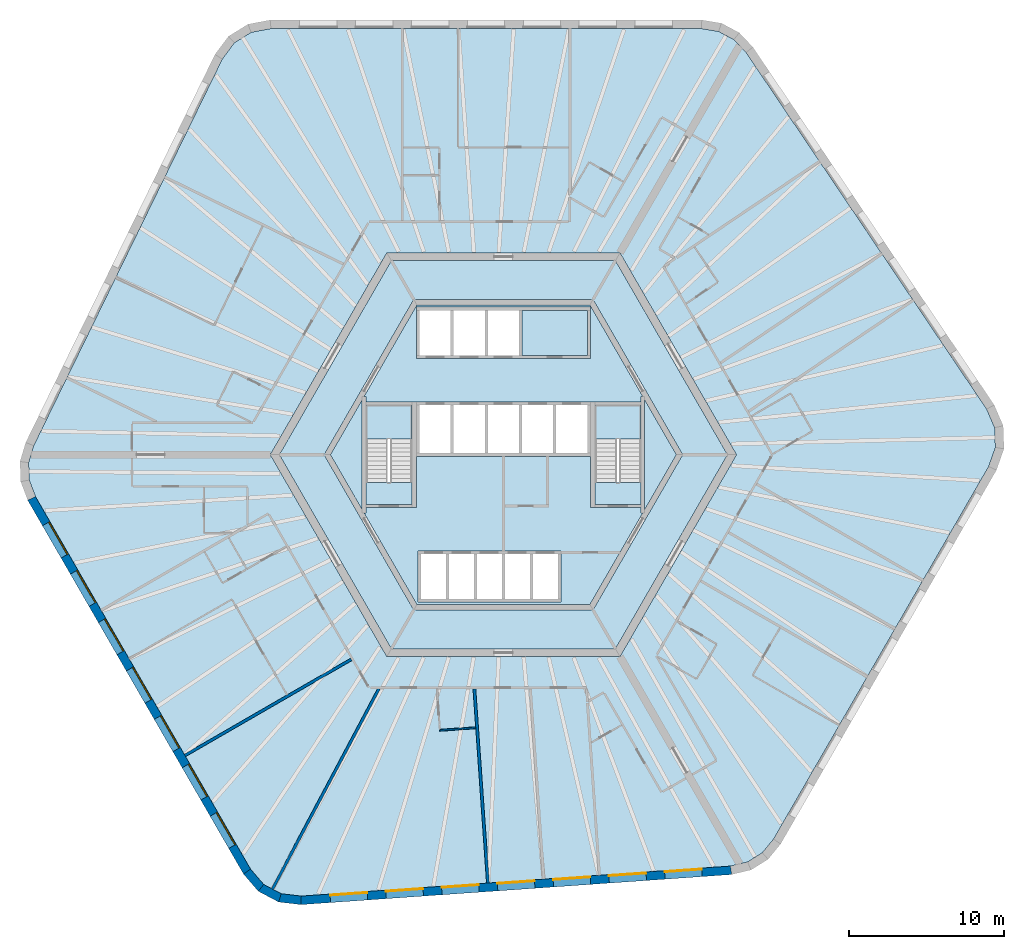
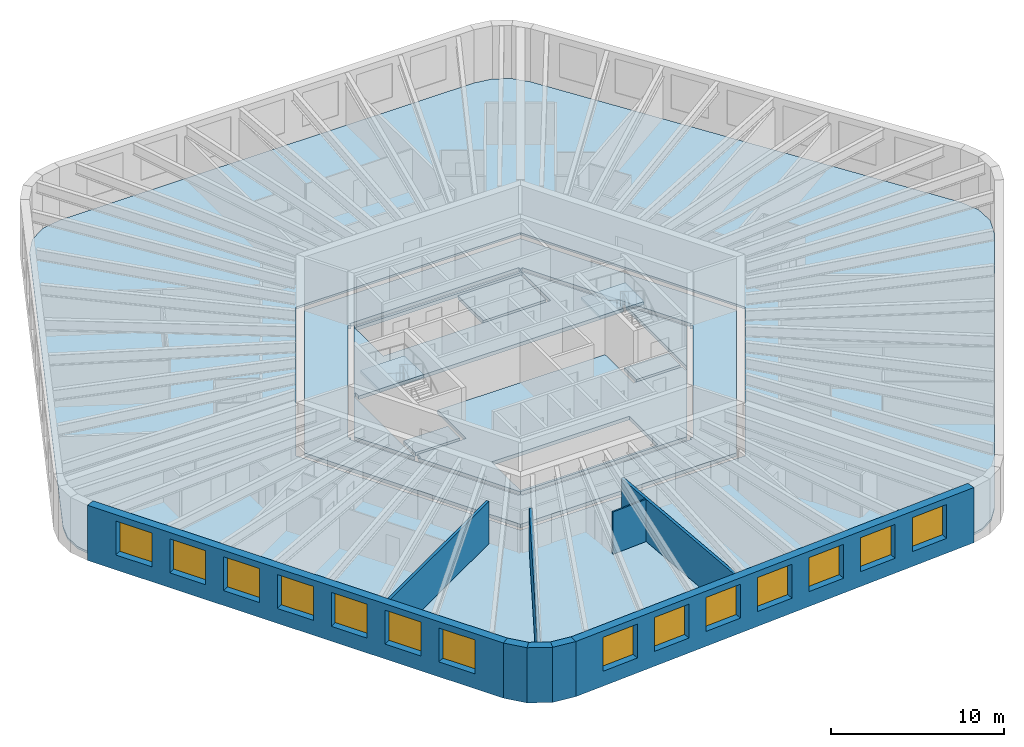
# One storey, part 2 of 10: 14 windows, 11 slabs, 9 walls, 14 openings, 2 elements without a shape of their own.
"""IFC4 building model written with IfcOpenShell, lengths in metres."""

from ifc_helpers import new_model, si_unit, direction, frame, frame_2d, origin, place, context, subcontext, project, spatial, polyline, rectangle, outline, extrude, material, layer, layer_set, type_object, element, fill, aggregate, save


model = new_model("IFC4")

# Units and contexts
model_context = context("Model", 3, precision=1e-05, world=origin(), true_north=direction((0.0, 1.0)))
body_context = subcontext(model_context, "Body", "Model", "MODEL_VIEW")
ifc_project = project(units=[si_unit("LENGTHUNIT", "METRE"), si_unit("AREAUNIT", "SQUARE_METRE"), si_unit("VOLUMEUNIT", "CUBIC_METRE"), si_unit("PLANEANGLEUNIT", "RADIAN"), si_unit("MASSUNIT", "GRAM", prefix="KILO")], contexts=[model_context])

# Site, building, storey
site_placement = place(None, origin())
site = spatial("IfcSite", under=ifc_project, at=site_placement, CompositionType="ELEMENT")
building_placement = place(site_placement, origin())
building = spatial("IfcBuilding", under=site, at=building_placement, Name="Tarnside Tower", CompositionType="ELEMENT")
storey_placement = place(building_placement, frame((0.0, 0.0, 203.39990234375)))
storey = spatial("IfcBuildingStorey", under=building, at=storey_placement, Name="L48", CompositionType="ELEMENT", Elevation=203.39990234375)

# Slabs
ifc_material_1 = material(Name="Concrete C35/45", Category="concrete")
ifc_layer_1 = layer(ifc_material_1, 0.14990234375)
ifc_layer_set_1 = layer_set([ifc_layer_1], Name="Composite floor slab 150")
slab_type_1 = type_object("IfcSlabType", Name="Composite floor slab 150", PredefinedType="FLOOR", material=ifc_layer_set_1)
slab_1_placement = place(storey_placement, frame((0.0, 0.0, -0.14990234375)))
element("IfcSlab", 1, at=slab_1_placement, inside=storey, type_object=slab_type_1, Name="Floor slab L48", PredefinedType="FLOOR", context=body_context, shape_type="SweptSolid", body=[
    extrude(outline(polyline([(13.864013671875, 27.264892578125), (14.85107421875, 26.740234375), (15.6337890625, 25.91064453125), (31.12890625, 2.938232421875), (31.644287109375, 1.7431640625), (31.68896484375, 0.468505859375), (31.258056640625, -0.759521484375), (17.403076171875, -24.7568359375), (16.68017578125, -25.63916015625), (15.732177734375, -26.2314453125), (14.622314453125, -26.494384765625), (-13.02001953125, -28.427490234375), (-14.3125, -28.2763671875), (-15.438720703125, -27.677490234375), (-16.286865234375, -26.6904296875), (-30.1416015625, -2.693115234375), (-30.544189453125, -1.6259765625), (-30.583251953125, -0.5087890625), (-30.256103515625, 0.583984375), (-18.10888671875, 25.4892578125), (-17.331787109375, 26.533203125), (-16.250244140625, 27.208984375), (-14.97119140625, 27.449951171875), (12.738525390625, 27.449951171875), (13.864013671875, 27.264892578125)]), holes=[polyline([(-15.010986328125, 0.0), (-7.505615234375, -13.0), (7.505615234375, -13.0), (15.010986328125, 0.0), (7.505615234375, 13.0), (-7.505615234375, 13.0), (-15.010986328125, 0.0)])]), origin(), (0.0, 0.0, 1.0), 0.14990234375),
])
ifc_material_2 = material(Name="Concrete C40/50", Category="concrete")
ifc_layer_2 = layer(ifc_material_2, 0.25)
ifc_layer_set_2 = layer_set([ifc_layer_2], Name="Core slab C40/50")
slab_type_2 = type_object("IfcSlabType", Name="Core slab C40/50", PredefinedType="FLOOR", material=ifc_layer_set_2)
slab_2_placement = place(storey_placement, frame((0.0, 0.0, -0.25)))
element("IfcSlab", 2, at=slab_2_placement, inside=storey, type_object=slab_type_2, Name="L48 core floor slab 1", PredefinedType="FLOOR", context=body_context, shape_type="SweptSolid", body=[
    extrude(outline(polyline([(-7.216796875, 12.5), (7.216796875, 12.5), (14.433837890625, 0.0), (7.216796875, -12.5), (-7.216796875, -12.5), (-14.433837890625, 0.0), (-7.216796875, 12.5)]), holes=[polyline([(5.823974609375, -9.91259765625), (11.49658203125, -0.08740234375), (11.344970703125, 0.0), (11.49658203125, 0.08740234375), (5.823974609375, 9.91259765625), (5.672607421875, 9.824951171875), (5.672607421875, 10.0), (-5.672607421875, 10.0), (-5.672607421875, 9.824951171875), (-5.823974609375, 9.91259765625), (-11.49658203125, 0.08740234375), (-11.344970703125, 0.0), (-11.49658203125, -0.08740234375), (-5.823974609375, -9.91259765625), (-5.672607421875, -9.824951171875), (-5.672607421875, -10.0), (5.672607421875, -10.0), (5.672607421875, -9.824951171875), (5.823974609375, -9.91259765625)])]), origin(), (0.0, 0.0, 1.0), 0.25),
])
slab_3_placement = place(storey_placement, frame((0.0, 0.0, -0.25)))
element("IfcSlab", 3, at=slab_3_placement, inside=storey, type_object=slab_type_2, Name="L48 core floor slab 2", PredefinedType="FLOOR", context=body_context, shape_type="SweptSolid", body=[
    extrude(outline(polyline([(-8.97509765625, 3.7548828125), (-5.5712890625, 9.64990234375), (5.5712890625, 9.64990234375), (8.97509765625, 3.7548828125), (8.85009765625, 3.7548828125), (8.85009765625, 3.39990234375), (5.89990234375, 3.39990234375), (5.60009765625, 3.39990234375), (5.60009765625, 3.39990234375), (-5.60009765625, 3.39990234375), (-5.89990234375, 3.39990234375), (-8.85009765625, 3.39990234375), (-8.85009765625, 3.7548828125), (-8.97509765625, 3.7548828125)]), holes=[polyline([(-5.60009765625, 6.199951171875), (5.60009765625, 6.199951171875), (5.60009765625, 6.39990234375), (5.60009765625, 9.300048828125), (5.60009765625, 9.5), (-5.60009765625, 9.5), (-5.60009765625, 9.300048828125), (-5.60009765625, 6.39990234375), (-5.60009765625, 6.199951171875)])]), origin(), (0.0, 0.0, 1.0), 0.25),
])
slab_4_placement = place(storey_placement, frame((0.0, 0.0, -0.25)))
element("IfcSlab", 4, at=slab_4_placement, inside=storey, type_object=slab_type_2, Name="L48 core floor slab 3", PredefinedType="FLOOR", context=body_context, shape_type="SweptSolid", body=[
    extrude(outline(polyline([(5.60009765625, -3.39990234375), (5.89990234375, -3.39990234375), (8.85009765625, -3.39990234375), (8.85009765625, -3.7548828125), (8.97509765625, -3.7548828125), (5.5712890625, -9.64990234375), (-5.5712890625, -9.64990234375), (-8.97509765625, -3.7548828125), (-8.85009765625, -3.7548828125), (-8.85009765625, -3.39990234375), (-5.89990234375, -3.39990234375), (-5.60009765625, -3.39990234375), (-5.60009765625, -0.10009765625), (5.60009765625, -0.10009765625), (5.60009765625, -3.39990234375)]), holes=[polyline([(-5.5, -9.300048828125), (-5.5, -9.5), (3.699951171875, -9.5), (3.699951171875, -9.300048828125), (3.699951171875, -6.39990234375), (3.699951171875, -6.199951171875), (-5.5, -6.199951171875), (-5.5, -6.39990234375), (-5.5, -9.300048828125)])]), origin(), (0.0, 0.0, 1.0), 0.25),
])
slab_5_placement = place(storey_placement, frame((0.0, 0.0, -0.25)))
element("IfcSlab", 5, at=slab_5_placement, inside=storey, type_object=slab_type_2, Name="L48 core floor slab 4", PredefinedType="FLOOR", context=body_context, shape_type="SweptSolid", body=[
    extrude(outline(polyline([(-11.142822265625, 0.0), (-9.10009765625, 3.538330078125), (-9.10009765625, -3.538330078125), (-11.142822265625, 0.0)])), origin(), (0.0, 0.0, 1.0), 0.25),
])
slab_6_placement = place(storey_placement, frame((0.0, 0.0, -0.25)))
element("IfcSlab", 6, at=slab_6_placement, inside=storey, type_object=slab_type_2, Name="L48 core floor slab 5", PredefinedType="FLOOR", context=body_context, shape_type="SweptSolid", body=[
    extrude(outline(polyline([(-8.85009765625, -1.800048828125), (-5.89990234375, -1.800048828125), (-5.89990234375, -3.199951171875), (-8.85009765625, -3.199951171875), (-8.85009765625, -1.800048828125)])), origin(), (0.0, 0.0, 1.0), 0.25),
])
slab_7_placement = place(storey_placement, frame((0.0, 0.0, -0.25)))
element("IfcSlab", 7, at=slab_7_placement, inside=storey, type_object=slab_type_2, Name="L48 core floor slab 6", PredefinedType="FLOOR", context=body_context, shape_type="SweptSolid", body=[
    extrude(outline(polyline([(5.89990234375, -3.199951171875), (5.89990234375, -1.800048828125), (8.85009765625, -1.800048828125), (8.85009765625, -3.199951171875), (5.89990234375, -3.199951171875)])), origin(), (0.0, 0.0, 1.0), 0.25),
])
slab_8_placement = place(storey_placement, frame((0.0, 0.0, -0.25)))
element("IfcSlab", 8, at=slab_8_placement, inside=storey, type_object=slab_type_2, Name="L48 core floor slab 7", PredefinedType="FLOOR", context=body_context, shape_type="SweptSolid", body=[
    extrude(outline(polyline([(9.10009765625, -3.538330078125), (9.10009765625, 3.538330078125), (11.142822265625, 0.0), (9.10009765625, -3.538330078125)])), origin(), (0.0, 0.0, 1.0), 0.25),
])
slab_9_placement = place(storey_placement, frame((0.0, 0.0, -0.25)))
element("IfcSlab", 9, at=slab_9_placement, inside=storey, type_object=slab_type_2, Name="L48 core floor slab 8", PredefinedType="FLOOR", context=body_context, shape_type="SweptSolid", body=[
    extrude(outline(polyline([(5.39990234375, 9.300048828125), (5.39990234375, 6.39990234375), (1.199951171875, 6.39990234375), (1.199951171875, 9.300048828125), (5.39990234375, 9.300048828125)])), origin(), (0.0, 0.0, 1.0), 0.25),
])

# Stair, slab
stair_type = type_object("IfcStairType", Name="Exit stair 1400 clear", PredefinedType="HALF_TURN_STAIR", material=ifc_material_2)
stair_1_placement = place(storey_placement, origin())
stair_1 = element("IfcStair", 10, at=stair_1_placement, inside=storey, type_object=stair_type, Name="L48 Exit stair 1", PredefinedType="HALF_TURN_STAIR")
ifc_layer_3 = layer(ifc_material_2, 0.199951171875)
ifc_layer_set_3 = layer_set([ifc_layer_3], Name="Stair landing 200 C40/50")
slab_type_3 = type_object("IfcSlabType", Name="Stair landing 200 C40/50", PredefinedType="LANDING", material=ifc_layer_set_3)
slab_10_placement = place(storey_placement, frame((0.0, 0.0, 1.75)))
slab_10 = element("IfcSlab", 11, at=slab_10_placement, type_object=slab_type_3, Name="ST1 landing 1", PredefinedType="LANDING", context=body_context, shape_type="SweptSolid", body=[
    extrude(outline(polyline([(8.85009765625, 1.0), (8.85009765625, 3.199951171875), (5.89990234375, 3.199951171875), (5.89990234375, 1.0), (8.85009765625, 1.0)])), origin(), (0.0, 0.0, 1.0), 0.2001953125),
])
aggregate(stair_1, [slab_10])

stair_2_placement = place(storey_placement, origin())
stair_2 = element("IfcStair", 12, at=stair_2_placement, inside=storey, type_object=stair_type, Name="L48 Exit stair 2", PredefinedType="HALF_TURN_STAIR")
slab_11_placement = place(storey_placement, frame((0.0, 0.0, 1.75)))
slab_11 = element("IfcSlab", 13, at=slab_11_placement, type_object=slab_type_3, Name="ST2 landing 1", PredefinedType="LANDING", context=body_context, shape_type="SweptSolid", body=[
    extrude(outline(polyline([(-5.89990234375, 1.0), (-5.89990234375, 3.199951171875), (-8.85009765625, 3.199951171875), (-8.85009765625, 1.0), (-5.89990234375, 1.0)])), origin(), (0.0, 0.0, 1.0), 0.2001953125),
])
aggregate(stair_2, [slab_11])

# Walls
ifc_material_3 = material(Name="Gypsum board partition on steel studs", Category="steel")
ifc_layer_4 = layer(ifc_material_3, 0.10009765625)
ifc_layer_set_4 = layer_set([ifc_layer_4], Name="Bathroom wall 100")
wall_type_1 = type_object("IfcWallType", Name="Bathroom wall 100", PredefinedType="PARTITIONING", material=ifc_layer_set_4)
wall_1_placement = place(storey_placement, frame((-1.785400390625, -17.587158203125, 0.0), z_axis=(0.0, 0.0, 1.0), x_axis=(-0.997564338377, -0.069752353356, 0.0)))
element("IfcWall", 14, at=wall_1_placement, inside=storey, type_object=wall_type_1, Name="Bathroom wall 15086", PredefinedType="PARTITIONING", context=body_context, shape_type="SweptSolid", body=[
    extrude(rectangle(XDim=2.31005859375, YDim=0.10009765625, at=frame_2d((1.155029296875, 0.0))), origin(), (0.0, 0.0, 1.0), 2.98779296875),
])
ifc_layer_5 = layer(ifc_material_3, 0.179931640625)
ifc_layer_set_5 = layer_set([ifc_layer_5], Name="Demising wall 180 EI 60")
wall_type_2 = type_object("IfcWallType", Name="Demising wall 180 EI 60", PredefinedType="PARTITIONING", material=ifc_layer_set_5)
wall_2_placement = place(storey_placement, frame((-20.513427734375, -19.36962890625, 0.0), z_axis=(0.0, 0.0, 1.0), x_axis=(0.866024931941, 0.500000817256, 0.0)))
element("IfcWall", 15, at=wall_2_placement, inside=storey, type_object=wall_type_2, Name="Demising wall 15082", PredefinedType="PARTITIONING", context=body_context, shape_type="SweptSolid", body=[
    extrude(rectangle(XDim=12.375, YDim=0.179931640625, at=frame_2d((6.1875, 0.0))), origin(), (0.0, 0.0, 1.0), 2.98779296875),
])
wall_3_placement = place(storey_placement, frame((-14.875732421875, -27.97705078125, 0.0), z_axis=(0.0, 0.0, 1.0), x_axis=(0.469468328163, 0.882949312731, 0.0)))
element("IfcWall", 16, at=wall_3_placement, inside=storey, type_object=wall_type_2, Name="Demising wall 15085", PredefinedType="PARTITIONING", context=body_context, shape_type="SweptSolid", body=[
    extrude(rectangle(XDim=14.612548828125, YDim=0.179931640625, at=frame_2d((7.30615234375, 0.0))), origin(), (0.0, 0.0, 1.0), 2.98779296875),
])
wall_4_placement = place(storey_placement, frame((-0.99609375, -27.586669921875, 0.0), z_axis=(0.0, 0.0, 1.0), x_axis=(-0.069744671963, 0.997564875451, 0.0)))
element("IfcWall", 17, at=wall_4_placement, inside=storey, type_object=wall_type_2, Name="Demising wall 15088", PredefinedType="PARTITIONING", context=body_context, shape_type="SweptSolid", body=[
    extrude(rectangle(XDim=12.542236328125, YDim=0.179931640625, at=frame_2d((6.27099609375, 0.0))), origin(), (0.0, 0.0, 1.0), 2.98779296875),
])

# Wall, openings, windows
ifc_material_4 = material(Name="Facing brick", Category="masonry")
ifc_layer_6 = layer(ifc_material_4, 0.10205078125)
ifc_material_5 = material(Name="Concrete C60/75 precast", Category="concrete")
ifc_layer_7 = layer(ifc_material_5, 0.347900390625)
ifc_material_6 = material(Name="Mineral wool insulation")
ifc_layer_8 = layer(ifc_material_6, 0.10009765625)
ifc_layer_set_6 = layer_set([ifc_layer_6, ifc_layer_7, ifc_layer_8], Name="Tube wall 550 brick faced")
wall_type_3 = type_object("IfcWallType", Name="Tube wall 550 brick faced", PredefinedType="SOLIDWALL", material=ifc_layer_set_6)
wall_5_placement = place(storey_placement, frame((-30.39111328125, -2.81103515625, -0.14990234375), z_axis=(0.0, 0.0, 1.0), x_axis=(0.499998569178, -0.866026229868, 0.0)))
wall_5 = element("IfcWall", 18, at=wall_5_placement, inside=storey, type_object=wall_type_3, Name="Tube wall L48 F3 flush 08", PredefinedType="SOLIDWALL", context=body_context, shape_type="SweptSolid", body=[
    extrude(outline(polyline([(-0.0224609375, -0.27490234375), (27.783447265625, -0.27490234375), (27.732177734375, 0.27490234375), (0.0224609375, 0.27490234375), (-0.0224609375, -0.27490234375)])), origin(), (0.0, 0.0, 1.0), 3.89990234375),
])
opening_1_placement = place(wall_5_placement, frame((1.87890625, 0.0, 1.050048828125)))
opening_1 = element("IfcOpeningElement", 19, at=opening_1_placement, cuts=wall_5, Name="Opening WH", PredefinedType="OPENING", context=body_context, shape_type="SweptSolid", body=[
    extrude(rectangle(XDim=2.39990234375, YDim=2.39990234375, at=frame_2d((1.199951171875, 1.199951171875))), frame((0.0, 0.28515625, 0.0), z_axis=(0.0, -1.0, 0.0), x_axis=(1.0, 0.0, 0.0)), (0.0, 0.0, 1.0), 0.570068359375),
])
opening_2_placement = place(wall_5_placement, frame((5.47900390625, 0.0, 1.050048828125)))
opening_2 = element("IfcOpeningElement", 20, at=opening_2_placement, cuts=wall_5, Name="Opening WH", PredefinedType="OPENING", context=body_context, shape_type="SweptSolid", body=[
    extrude(rectangle(XDim=2.39990234375, YDim=2.39990234375, at=frame_2d((1.199951171875, 1.199951171875))), frame((0.0, 0.28515625, 0.0), z_axis=(0.0, -1.0, 0.0), x_axis=(1.0, 0.0, 0.0)), (0.0, 0.0, 1.0), 0.570068359375),
])
opening_3_placement = place(wall_5_placement, frame((9.078857421875, 0.0, 1.050048828125)))
opening_3 = element("IfcOpeningElement", 21, at=opening_3_placement, cuts=wall_5, Name="Opening WH", PredefinedType="OPENING", context=body_context, shape_type="SweptSolid", body=[
    extrude(rectangle(XDim=2.39990234375, YDim=2.39990234375, at=frame_2d((1.199951171875, 1.199951171875))), frame((0.0, 0.28515625, 0.0), z_axis=(0.0, -1.0, 0.0), x_axis=(1.0, 0.0, 0.0)), (0.0, 0.0, 1.0), 0.570068359375),
])
opening_4_placement = place(wall_5_placement, frame((12.678955078125, 0.0, 1.050048828125)))
opening_4 = element("IfcOpeningElement", 22, at=opening_4_placement, cuts=wall_5, Name="Opening WH", PredefinedType="OPENING", context=body_context, shape_type="SweptSolid", body=[
    extrude(rectangle(XDim=2.39990234375, YDim=2.39990234375, at=frame_2d((1.199951171875, 1.199951171875))), frame((0.0, 0.28515625, 0.0), z_axis=(0.0, -1.0, 0.0), x_axis=(1.0, 0.0, 0.0)), (0.0, 0.0, 1.0), 0.570068359375),
])
opening_5_placement = place(wall_5_placement, frame((16.27880859375, 0.0, 1.050048828125)))
opening_5 = element("IfcOpeningElement", 23, at=opening_5_placement, cuts=wall_5, Name="Opening WH", PredefinedType="OPENING", context=body_context, shape_type="SweptSolid", body=[
    extrude(rectangle(XDim=2.39990234375, YDim=2.39990234375, at=frame_2d((1.199951171875, 1.199951171875))), frame((0.0, 0.28515625, 0.0), z_axis=(0.0, -1.0, 0.0), x_axis=(1.0, 0.0, 0.0)), (0.0, 0.0, 1.0), 0.570068359375),
])
opening_6_placement = place(wall_5_placement, frame((19.87890625, 0.0, 1.050048828125)))
opening_6 = element("IfcOpeningElement", 24, at=opening_6_placement, cuts=wall_5, Name="Opening WH", PredefinedType="OPENING", context=body_context, shape_type="SweptSolid", body=[
    extrude(rectangle(XDim=2.39990234375, YDim=2.39990234375, at=frame_2d((1.199951171875, 1.199951171875))), frame((0.0, 0.28515625, 0.0), z_axis=(0.0, -1.0, 0.0), x_axis=(1.0, 0.0, 0.0)), (0.0, 0.0, 1.0), 0.570068359375),
])
opening_7_placement = place(wall_5_placement, frame((23.47900390625, 0.0, 1.050048828125)))
opening_7 = element("IfcOpeningElement", 25, at=opening_7_placement, cuts=wall_5, Name="Opening WH", PredefinedType="OPENING", context=body_context, shape_type="SweptSolid", body=[
    extrude(rectangle(XDim=2.39990234375, YDim=2.39990234375, at=frame_2d((1.199951171875, 1.199951171875))), frame((0.0, 0.28515625, 0.0), z_axis=(0.0, -1.0, 0.0), x_axis=(1.0, 0.0, 0.0)), (0.0, 0.0, 1.0), 0.570068359375),
])
ifc_material_7 = material(Name="Aluminium-framed double glazing", Category="aluminium")
window_type = type_object("IfcWindowType", Name="Hotel window 2400 x 2400", PartitioningType="DOUBLE_PANEL_VERTICAL", PredefinedType="WINDOW", material=ifc_material_7)
window_1_placement = place(opening_1_placement, frame((0.0, 0.205078125, 0.0)))
window_1 = element("IfcWindow", 26, at=window_1_placement, inside=storey, type_object=window_type, Name="E.WN.L48.F3.00", OverallHeight=2.39990234375, OverallWidth=2.39990234375, PartitioningType="DOUBLE_PANEL_VERTICAL", PredefinedType="WINDOW", context=body_context, shape_type="SweptSolid", body=[
    extrude(rectangle(XDim=2.39990234375, YDim=2.39990234375, at=frame_2d((1.199951171875, 1.199951171875))), frame((0.0, 0.030029296875, 0.0), z_axis=(0.0, -1.0, 0.0), x_axis=(1.0, 0.0, 0.0)), (0.0, 0.0, 1.0), 0.06005859375),
])
fill(opening_1, window_1)
window_2_placement = place(opening_2_placement, frame((0.0, 0.205078125, 0.0)))
window_2 = element("IfcWindow", 27, at=window_2_placement, inside=storey, type_object=window_type, Name="E.WN.L48.F3.01", OverallHeight=2.39990234375, OverallWidth=2.39990234375, PartitioningType="DOUBLE_PANEL_VERTICAL", PredefinedType="WINDOW", context=body_context, shape_type="SweptSolid", body=[
    extrude(rectangle(XDim=2.39990234375, YDim=2.39990234375, at=frame_2d((1.199951171875, 1.199951171875))), frame((0.0, 0.030029296875, 0.0), z_axis=(0.0, -1.0, 0.0), x_axis=(1.0, 0.0, 0.0)), (0.0, 0.0, 1.0), 0.06005859375),
])
fill(opening_2, window_2)
window_3_placement = place(opening_3_placement, frame((0.0, 0.205078125, 0.0)))
window_3 = element("IfcWindow", 28, at=window_3_placement, inside=storey, type_object=window_type, Name="E.WN.L48.F3.02", OverallHeight=2.39990234375, OverallWidth=2.39990234375, PartitioningType="DOUBLE_PANEL_VERTICAL", PredefinedType="WINDOW", context=body_context, shape_type="SweptSolid", body=[
    extrude(rectangle(XDim=2.39990234375, YDim=2.39990234375, at=frame_2d((1.199951171875, 1.199951171875))), frame((0.0, 0.030029296875, 0.0), z_axis=(0.0, -1.0, 0.0), x_axis=(1.0, 0.0, 0.0)), (0.0, 0.0, 1.0), 0.06005859375),
])
fill(opening_3, window_3)
window_4_placement = place(opening_4_placement, frame((0.0, 0.205078125, 0.0)))
window_4 = element("IfcWindow", 29, at=window_4_placement, inside=storey, type_object=window_type, Name="E.WN.L48.F3.03", OverallHeight=2.39990234375, OverallWidth=2.39990234375, PartitioningType="DOUBLE_PANEL_VERTICAL", PredefinedType="WINDOW", context=body_context, shape_type="SweptSolid", body=[
    extrude(rectangle(XDim=2.39990234375, YDim=2.39990234375, at=frame_2d((1.199951171875, 1.199951171875))), frame((0.0, 0.030029296875, 0.0), z_axis=(0.0, -1.0, 0.0), x_axis=(1.0, 0.0, 0.0)), (0.0, 0.0, 1.0), 0.06005859375),
])
fill(opening_4, window_4)
window_5_placement = place(opening_5_placement, frame((0.0, 0.205078125, 0.0)))
window_5 = element("IfcWindow", 30, at=window_5_placement, inside=storey, type_object=window_type, Name="E.WN.L48.F3.04", OverallHeight=2.39990234375, OverallWidth=2.39990234375, PartitioningType="DOUBLE_PANEL_VERTICAL", PredefinedType="WINDOW", context=body_context, shape_type="SweptSolid", body=[
    extrude(rectangle(XDim=2.39990234375, YDim=2.39990234375, at=frame_2d((1.199951171875, 1.199951171875))), frame((0.0, 0.030029296875, 0.0), z_axis=(0.0, -1.0, 0.0), x_axis=(1.0, 0.0, 0.0)), (0.0, 0.0, 1.0), 0.06005859375),
])
fill(opening_5, window_5)
window_6_placement = place(opening_6_placement, frame((0.0, 0.205078125, 0.0)))
window_6 = element("IfcWindow", 31, at=window_6_placement, inside=storey, type_object=window_type, Name="E.WN.L48.F3.05", OverallHeight=2.39990234375, OverallWidth=2.39990234375, PartitioningType="DOUBLE_PANEL_VERTICAL", PredefinedType="WINDOW", context=body_context, shape_type="SweptSolid", body=[
    extrude(rectangle(XDim=2.39990234375, YDim=2.39990234375, at=frame_2d((1.199951171875, 1.199951171875))), frame((0.0, 0.030029296875, 0.0), z_axis=(0.0, -1.0, 0.0), x_axis=(1.0, 0.0, 0.0)), (0.0, 0.0, 1.0), 0.06005859375),
])
fill(opening_6, window_6)
window_7_placement = place(opening_7_placement, frame((0.0, 0.205078125, 0.0)))
window_7 = element("IfcWindow", 32, at=window_7_placement, inside=storey, type_object=window_type, Name="E.WN.L48.F3.06", OverallHeight=2.39990234375, OverallWidth=2.39990234375, PartitioningType="DOUBLE_PANEL_VERTICAL", PredefinedType="WINDOW", context=body_context, shape_type="SweptSolid", body=[
    extrude(rectangle(XDim=2.39990234375, YDim=2.39990234375, at=frame_2d((1.199951171875, 1.199951171875))), frame((0.0, 0.030029296875, 0.0), z_axis=(0.0, -1.0, 0.0), x_axis=(1.0, 0.0, 0.0)), (0.0, 0.0, 1.0), 0.06005859375),
])
fill(opening_7, window_7)

# Walls
wall_6_placement = place(storey_placement, frame((-16.51220703125, -26.85009765625, -0.14990234375), z_axis=(0.0, 0.0, 1.0), x_axis=(0.651621950847, -0.758543890078, 0.0)))
element("IfcWall", 33, at=wall_6_placement, inside=storey, type_object=wall_type_3, Name="Tube wall L48 F3 chord 09", PredefinedType="SOLIDWALL", context=body_context, shape_type="SweptSolid", body=[
    extrude(outline(polyline([(-0.025634765625, -0.27490234375), (1.430908203125, -0.27490234375), (1.327392578125, 0.27490234375), (0.025634765625, 0.27490234375), (-0.025634765625, -0.27490234375)])), origin(), (0.0, 0.0, 1.0), 3.89990234375),
])
wall_7_placement = place(storey_placement, frame((-15.613525390625, -27.896240234375, -0.14990234375), z_axis=(0.0, 0.0, 1.0), x_axis=(0.882994189209, -0.469383917304, 0.0)))
element("IfcWall", 34, at=wall_7_placement, inside=storey, type_object=wall_type_3, Name="Tube wall L48 F3 chord 10", PredefinedType="SOLIDWALL", context=body_context, shape_type="SweptSolid", body=[
    extrude(outline(polyline([(-0.0517578125, -0.27490234375), (1.4306640625, -0.27490234375), (1.3271484375, 0.27490234375), (0.0517578125, 0.27490234375), (-0.0517578125, -0.27490234375)])), origin(), (0.0, 0.0, 1.0), 3.89990234375),
])
wall_8_placement = place(storey_placement, frame((-14.39599609375, -28.54345703125, -0.14990234375), z_axis=(0.0, 0.0, 1.0), x_axis=(0.993232537394, -0.11614269956, 0.0)))
element("IfcWall", 35, at=wall_8_placement, inside=storey, type_object=wall_type_3, Name="Tube wall L48 F3 chord 11", PredefinedType="SOLIDWALL", context=body_context, shape_type="SweptSolid", body=[
    extrude(outline(polyline([(-0.0517578125, -0.27490234375), (1.404541015625, -0.27490234375), (1.353271484375, 0.27490234375), (0.0517578125, 0.27490234375), (-0.0517578125, -0.27490234375)])), origin(), (0.0, 0.0, 1.0), 3.89990234375),
])

# Wall, openings, windows
wall_9_placement = place(storey_placement, frame((-13.0263671875, -28.70361328125, -0.14990234375), z_axis=(0.0, 0.0, 1.0), x_axis=(0.99756406806, 0.069756219185, 0.0)))
wall_9 = element("IfcWall", 36, at=wall_9_placement, inside=storey, type_object=wall_type_3, Name="Tube wall L48 F4 flush 12", PredefinedType="SOLIDWALL", context=body_context, shape_type="SweptSolid", body=[
    extrude(outline(polyline([(-0.025634765625, -0.27490234375), (27.7802734375, -0.27490234375), (27.7353515625, 0.27490234375), (0.025634765625, 0.27490234375), (-0.025634765625, -0.27490234375)])), origin(), (0.0, 0.0, 1.0), 3.89990234375),
])
opening_8_placement = place(wall_9_placement, frame((1.87890625, 0.0, 1.050048828125)))
opening_8 = element("IfcOpeningElement", 37, at=opening_8_placement, cuts=wall_9, Name="Opening WH", PredefinedType="OPENING", context=body_context, shape_type="SweptSolid", body=[
    extrude(rectangle(XDim=2.39990234375, YDim=2.39990234375, at=frame_2d((1.199951171875, 1.199951171875))), frame((0.0, 0.28515625, 0.0), z_axis=(0.0, -1.0, 0.0), x_axis=(1.0, 0.0, 0.0)), (0.0, 0.0, 1.0), 0.570068359375),
])
opening_9_placement = place(wall_9_placement, frame((5.47900390625, 0.0, 1.050048828125)))
opening_9 = element("IfcOpeningElement", 38, at=opening_9_placement, cuts=wall_9, Name="Opening WH", PredefinedType="OPENING", context=body_context, shape_type="SweptSolid", body=[
    extrude(rectangle(XDim=2.39990234375, YDim=2.39990234375, at=frame_2d((1.199951171875, 1.199951171875))), frame((0.0, 0.28515625, 0.0), z_axis=(0.0, -1.0, 0.0), x_axis=(1.0, 0.0, 0.0)), (0.0, 0.0, 1.0), 0.570068359375),
])
opening_10_placement = place(wall_9_placement, frame((9.078857421875, 0.0, 1.050048828125)))
opening_10 = element("IfcOpeningElement", 39, at=opening_10_placement, cuts=wall_9, Name="Opening WH", PredefinedType="OPENING", context=body_context, shape_type="SweptSolid", body=[
    extrude(rectangle(XDim=2.39990234375, YDim=2.39990234375, at=frame_2d((1.199951171875, 1.199951171875))), frame((0.0, 0.28515625, 0.0), z_axis=(0.0, -1.0, 0.0), x_axis=(1.0, 0.0, 0.0)), (0.0, 0.0, 1.0), 0.570068359375),
])
opening_11_placement = place(wall_9_placement, frame((12.678955078125, 0.0, 1.050048828125)))
opening_11 = element("IfcOpeningElement", 40, at=opening_11_placement, cuts=wall_9, Name="Opening WH", PredefinedType="OPENING", context=body_context, shape_type="SweptSolid", body=[
    extrude(rectangle(XDim=2.39990234375, YDim=2.39990234375, at=frame_2d((1.199951171875, 1.199951171875))), frame((0.0, 0.28515625, 0.0), z_axis=(0.0, -1.0, 0.0), x_axis=(1.0, 0.0, 0.0)), (0.0, 0.0, 1.0), 0.570068359375),
])
opening_12_placement = place(wall_9_placement, frame((16.27880859375, 0.0, 1.050048828125)))
opening_12 = element("IfcOpeningElement", 41, at=opening_12_placement, cuts=wall_9, Name="Opening WH", PredefinedType="OPENING", context=body_context, shape_type="SweptSolid", body=[
    extrude(rectangle(XDim=2.39990234375, YDim=2.39990234375, at=frame_2d((1.199951171875, 1.199951171875))), frame((0.0, 0.28515625, 0.0), z_axis=(0.0, -1.0, 0.0), x_axis=(1.0, 0.0, 0.0)), (0.0, 0.0, 1.0), 0.570068359375),
])
opening_13_placement = place(wall_9_placement, frame((19.87890625, 0.0, 1.050048828125)))
opening_13 = element("IfcOpeningElement", 42, at=opening_13_placement, cuts=wall_9, Name="Opening WH", PredefinedType="OPENING", context=body_context, shape_type="SweptSolid", body=[
    extrude(rectangle(XDim=2.39990234375, YDim=2.39990234375, at=frame_2d((1.199951171875, 1.199951171875))), frame((0.0, 0.28515625, 0.0), z_axis=(0.0, -1.0, 0.0), x_axis=(1.0, 0.0, 0.0)), (0.0, 0.0, 1.0), 0.570068359375),
])
opening_14_placement = place(wall_9_placement, frame((23.47900390625, 0.0, 1.050048828125)))
opening_14 = element("IfcOpeningElement", 43, at=opening_14_placement, cuts=wall_9, Name="Opening WH", PredefinedType="OPENING", context=body_context, shape_type="SweptSolid", body=[
    extrude(rectangle(XDim=2.39990234375, YDim=2.39990234375, at=frame_2d((1.199951171875, 1.199951171875))), frame((0.0, 0.28515625, 0.0), z_axis=(0.0, -1.0, 0.0), x_axis=(1.0, 0.0, 0.0)), (0.0, 0.0, 1.0), 0.570068359375),
])
window_8_placement = place(opening_8_placement, frame((0.0, 0.205078125, 0.0)))
window_8 = element("IfcWindow", 44, at=window_8_placement, inside=storey, type_object=window_type, Name="E.WN.L48.F4.00", OverallHeight=2.39990234375, OverallWidth=2.39990234375, PartitioningType="DOUBLE_PANEL_VERTICAL", PredefinedType="WINDOW", context=body_context, shape_type="SweptSolid", body=[
    extrude(rectangle(XDim=2.39990234375, YDim=2.39990234375, at=frame_2d((1.199951171875, 1.199951171875))), frame((0.0, 0.030029296875, 0.0), z_axis=(0.0, -1.0, 0.0), x_axis=(1.0, 0.0, 0.0)), (0.0, 0.0, 1.0), 0.06005859375),
])
fill(opening_8, window_8)
window_9_placement = place(opening_9_placement, frame((0.0, 0.205078125, 0.0)))
window_9 = element("IfcWindow", 45, at=window_9_placement, inside=storey, type_object=window_type, Name="E.WN.L48.F4.01", OverallHeight=2.39990234375, OverallWidth=2.39990234375, PartitioningType="DOUBLE_PANEL_VERTICAL", PredefinedType="WINDOW", context=body_context, shape_type="SweptSolid", body=[
    extrude(rectangle(XDim=2.39990234375, YDim=2.39990234375, at=frame_2d((1.199951171875, 1.199951171875))), frame((0.0, 0.030029296875, 0.0), z_axis=(0.0, -1.0, 0.0), x_axis=(1.0, 0.0, 0.0)), (0.0, 0.0, 1.0), 0.06005859375),
])
fill(opening_9, window_9)
window_10_placement = place(opening_10_placement, frame((0.0, 0.205078125, 0.0)))
window_10 = element("IfcWindow", 46, at=window_10_placement, inside=storey, type_object=window_type, Name="E.WN.L48.F4.02", OverallHeight=2.39990234375, OverallWidth=2.39990234375, PartitioningType="DOUBLE_PANEL_VERTICAL", PredefinedType="WINDOW", context=body_context, shape_type="SweptSolid", body=[
    extrude(rectangle(XDim=2.39990234375, YDim=2.39990234375, at=frame_2d((1.199951171875, 1.199951171875))), frame((0.0, 0.030029296875, 0.0), z_axis=(0.0, -1.0, 0.0), x_axis=(1.0, 0.0, 0.0)), (0.0, 0.0, 1.0), 0.06005859375),
])
fill(opening_10, window_10)
window_11_placement = place(opening_11_placement, frame((0.0, 0.205078125, 0.0)))
window_11 = element("IfcWindow", 47, at=window_11_placement, inside=storey, type_object=window_type, Name="E.WN.L48.F4.03", OverallHeight=2.39990234375, OverallWidth=2.39990234375, PartitioningType="DOUBLE_PANEL_VERTICAL", PredefinedType="WINDOW", context=body_context, shape_type="SweptSolid", body=[
    extrude(rectangle(XDim=2.39990234375, YDim=2.39990234375, at=frame_2d((1.199951171875, 1.199951171875))), frame((0.0, 0.030029296875, 0.0), z_axis=(0.0, -1.0, 0.0), x_axis=(1.0, 0.0, 0.0)), (0.0, 0.0, 1.0), 0.06005859375),
])
fill(opening_11, window_11)
window_12_placement = place(opening_12_placement, frame((0.0, 0.205078125, 0.0)))
window_12 = element("IfcWindow", 48, at=window_12_placement, inside=storey, type_object=window_type, Name="E.WN.L48.F4.04", OverallHeight=2.39990234375, OverallWidth=2.39990234375, PartitioningType="DOUBLE_PANEL_VERTICAL", PredefinedType="WINDOW", context=body_context, shape_type="SweptSolid", body=[
    extrude(rectangle(XDim=2.39990234375, YDim=2.39990234375, at=frame_2d((1.199951171875, 1.199951171875))), frame((0.0, 0.030029296875, 0.0), z_axis=(0.0, -1.0, 0.0), x_axis=(1.0, 0.0, 0.0)), (0.0, 0.0, 1.0), 0.06005859375),
])
fill(opening_12, window_12)
window_13_placement = place(opening_13_placement, frame((0.0, 0.205078125, 0.0)))
window_13 = element("IfcWindow", 49, at=window_13_placement, inside=storey, type_object=window_type, Name="E.WN.L48.F4.05", OverallHeight=2.39990234375, OverallWidth=2.39990234375, PartitioningType="DOUBLE_PANEL_VERTICAL", PredefinedType="WINDOW", context=body_context, shape_type="SweptSolid", body=[
    extrude(rectangle(XDim=2.39990234375, YDim=2.39990234375, at=frame_2d((1.199951171875, 1.199951171875))), frame((0.0, 0.030029296875, 0.0), z_axis=(0.0, -1.0, 0.0), x_axis=(1.0, 0.0, 0.0)), (0.0, 0.0, 1.0), 0.06005859375),
])
fill(opening_13, window_13)
window_14_placement = place(opening_14_placement, frame((0.0, 0.205078125, 0.0)))
window_14 = element("IfcWindow", 50, at=window_14_placement, inside=storey, type_object=window_type, Name="E.WN.L48.F4.06", OverallHeight=2.39990234375, OverallWidth=2.39990234375, PartitioningType="DOUBLE_PANEL_VERTICAL", PredefinedType="WINDOW", context=body_context, shape_type="SweptSolid", body=[
    extrude(rectangle(XDim=2.39990234375, YDim=2.39990234375, at=frame_2d((1.199951171875, 1.199951171875))), frame((0.0, 0.030029296875, 0.0), z_axis=(0.0, -1.0, 0.0), x_axis=(1.0, 0.0, 0.0)), (0.0, 0.0, 1.0), 0.06005859375),
])
fill(opening_14, window_14)

save(model, "model.ifc")
